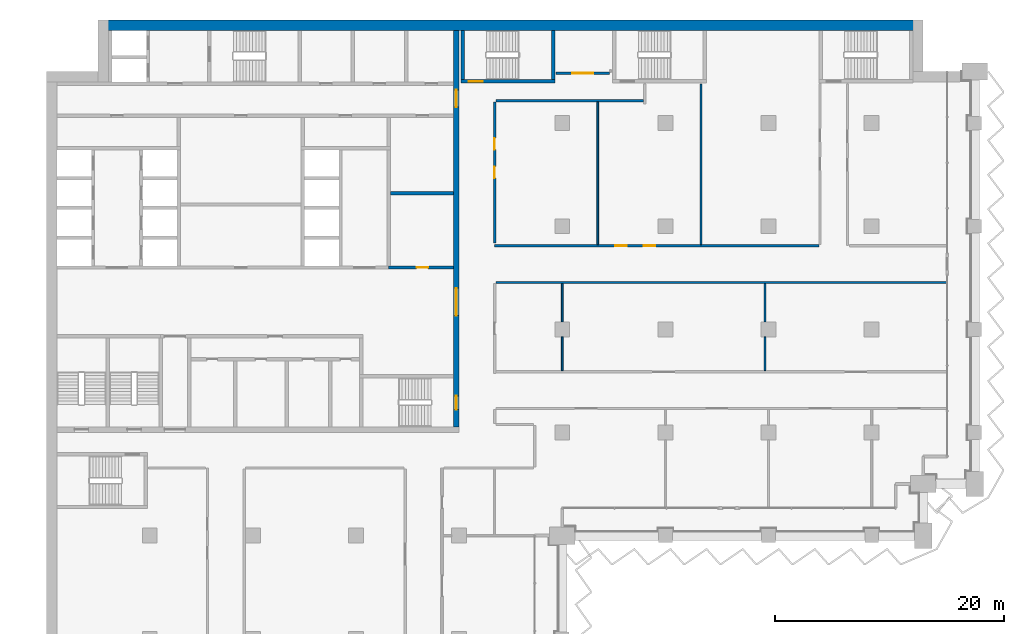
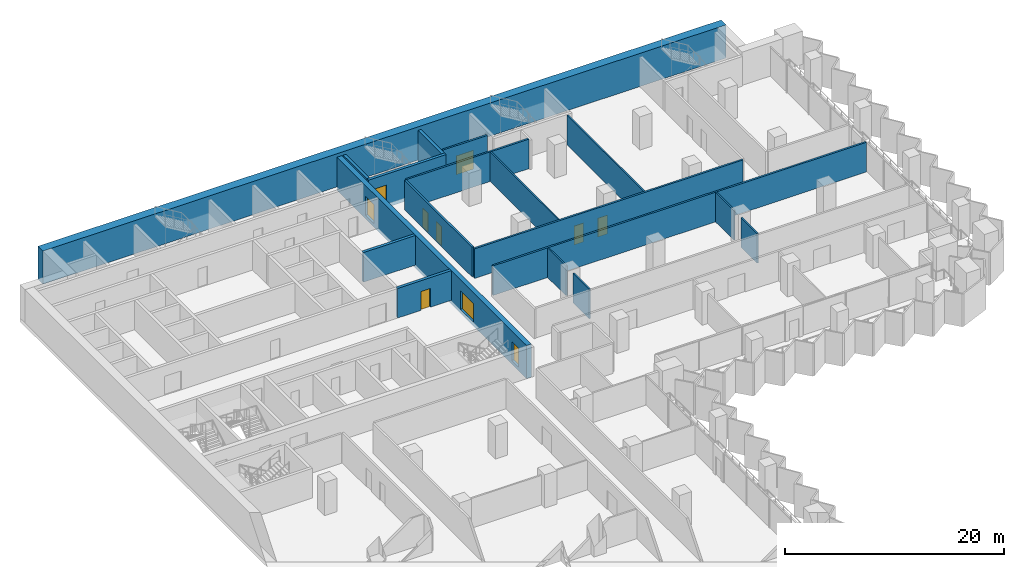
# One storey, part 14 of 23: 18 walls, 10 doors, 10 openings.
"""IFC4 building model written with IfcOpenShell, lengths in metres."""

from ifc_helpers import new_model, si_unit, direction, frame, frame_2d, origin, place, context, subcontext, project, spatial, rectangle, extrude, material, layer, layer_set, type_object, element, fill, save


model = new_model("IFC4")

# Units and contexts
model_context = context("Model", 3, precision=1e-05, world=origin(), true_north=direction((0.0, 1.0)))
body_context = subcontext(model_context, "Body", "Model", "MODEL_VIEW")
ifc_project = project(units=[si_unit("LENGTHUNIT", "METRE"), si_unit("AREAUNIT", "SQUARE_METRE"), si_unit("VOLUMEUNIT", "CUBIC_METRE"), si_unit("PLANEANGLEUNIT", "RADIAN"), si_unit("MASSUNIT", "GRAM", prefix="KILO")], contexts=[model_context])

# Site, building, storey
site_placement = place(None, origin())
site = spatial("IfcSite", under=ifc_project, at=site_placement, CompositionType="ELEMENT")
building_placement = place(site_placement, origin())
building = spatial("IfcBuilding", under=site, at=building_placement, Name="Hunhe Ridgeline Campus", CompositionType="ELEMENT")
storey_placement = place(building_placement, frame((0.0, 0.0, 110.699951171875)))
storey = spatial("IfcBuildingStorey", under=building, at=storey_placement, Name="L27", CompositionType="ELEMENT", Elevation=110.699951171875)

# Wall, opening, door
ifc_material_1 = material(Name="Masonry concrete blockwork", Category="masonry")
ifc_layer_1 = layer(ifc_material_1, 0.300048828125)
ifc_layer_set_1 = layer_set([ifc_layer_1], Name="Core room partition 300 concrete block")
wall_type_1 = type_object("IfcWallType", Name="Core room partition 300 concrete block", PredefinedType="PARTITIONING", material=ifc_layer_set_1)
wall_1_placement = place(storey_placement, frame((29.85009765625, 77.39990234375, 0.0), z_axis=(0.0, 0.0, 1.0), x_axis=(1.0, 0.0, 0.0)))
wall_1 = element("IfcWall", 1, at=wall_1_placement, inside=storey, type_object=wall_type_1, Name="L27 core partition 13", PredefinedType="PARTITIONING", context=body_context, shape_type="SweptSolid", body=[
    extrude(rectangle(XDim=5.64990234375, YDim=0.300048828125, at=frame_2d((2.824951171875, 0.0))), origin(), (0.0, 0.0, 1.0), 3.300048828125),
])
opening_1_placement = place(wall_1_placement, frame((2.449951171875, 0.0, 0.0)))
opening_1 = element("IfcOpeningElement", 2, at=opening_1_placement, cuts=wall_1, Name="Opening CD32", PredefinedType="OPENING", context=body_context, shape_type="SweptSolid", body=[
    extrude(rectangle(XDim=1.0, YDim=2.10009765625, at=frame_2d((0.5, 1.050048828125))), frame((0.0, 0.14990234375, 0.0), z_axis=(0.0, -1.0, 0.0), x_axis=(1.0, 0.0, 0.0)), (0.0, 0.0, 1.0), 0.300048828125),
])
ifc_material_2 = material(Name="Solid core timber door leaf", Category="wood")
door_type_1 = type_object("IfcDoorType", Name="Timber door 1000x2100", OperationType="SINGLE_SWING_LEFT", PredefinedType="DOOR", material=ifc_material_2)
door_1_placement = place(opening_1_placement, origin())
door_1 = element("IfcDoor", 3, at=door_1_placement, inside=storey, type_object=door_type_1, Name="L27 door ES0", OperationType="SINGLE_SWING_RIGHT", OverallHeight=2.10009765625, OverallWidth=1.0, PredefinedType="DOOR", context=body_context, shape_type="SweptSolid", body=[
    extrude(rectangle(XDim=1.0, YDim=2.10009765625, at=frame_2d((0.5, 1.050048828125))), frame((0.0, 0.02490234375, 0.0), z_axis=(0.0, -1.0, 0.0), x_axis=(1.0, 0.0, 0.0)), (0.0, 0.0, 1.0), 0.050048828125),
])
fill(opening_1, door_1)

# Wall
wall_2_placement = place(storey_placement, frame((30.0, 83.89990234375, 0.0), z_axis=(0.0, 0.0, 1.0), x_axis=(1.0, 0.0, 0.0)))
element("IfcWall", 4, at=wall_2_placement, inside=storey, type_object=wall_type_1, Name="L27 core partition 21", PredefinedType="PARTITIONING", context=body_context, shape_type="SweptSolid", body=[
    extrude(rectangle(XDim=5.5, YDim=0.300048828125, at=frame_2d((2.75, 0.0))), origin(), (0.0, 0.0, 1.0), 3.300048828125),
])

# Wall, openings, doors
ifc_material_3 = material(Name="Concrete C80", Category="concrete")
ifc_layer_2 = layer(ifc_material_3, 0.5)
ifc_layer_set_2 = layer_set([ifc_layer_2], Name="Core wall 500 reinforced concrete C80")
wall_type_2 = type_object("IfcWallType", Name="Core wall 500 reinforced concrete C80", PredefinedType="SOLIDWALL", material=ifc_layer_set_2)
wall_3_placement = place(storey_placement, frame((35.75, 63.5, -0.39990234375), z_axis=(0.0, 0.0, 1.0), x_axis=(0.0, 1.0, 0.0)))
wall_3 = element("IfcWall", 5, at=wall_3_placement, inside=storey, type_object=wall_type_2, Name="L27 core wall 60", PredefinedType="SOLIDWALL", context=body_context, shape_type="SweptSolid", body=[
    extrude(rectangle(XDim=34.60009765625, YDim=0.5, at=frame_2d((17.300048828125, 0.0))), origin(), (0.0, 0.0, 1.0), 3.699951171875),
])
opening_2_placement = place(wall_3_placement, frame((9.699951171875, 0.0, 0.39990234375)))
opening_2 = element("IfcOpeningElement", 6, at=opening_2_placement, cuts=wall_3, Name="Opening CD4", PredefinedType="OPENING", context=body_context, shape_type="SweptSolid", body=[
    extrude(rectangle(XDim=2.39990234375, YDim=2.10009765625, at=frame_2d((1.199951171875, 1.050048828125))), frame((0.0, 0.25, 0.0), z_axis=(0.0, -1.0, 0.0), x_axis=(1.0, 0.0, 0.0)), (0.0, 0.0, 1.0), 0.5),
])
opening_3_placement = place(wall_3_placement, frame((27.89990234375, 0.0, 0.39990234375)))
opening_3 = element("IfcOpeningElement", 7, at=opening_3_placement, cuts=wall_3, Name="Opening CD5", PredefinedType="OPENING", context=body_context, shape_type="SweptSolid", body=[
    extrude(rectangle(XDim=1.5, YDim=2.10009765625, at=frame_2d((0.75, 1.050048828125))), frame((0.0, 0.25, 0.0), z_axis=(0.0, -1.0, 0.0), x_axis=(1.0, 0.0, 0.0)), (0.0, 0.0, 1.0), 0.5),
])
opening_4_placement = place(wall_3_placement, frame((1.5, 0.0, 0.39990234375)))
opening_4 = element("IfcOpeningElement", 8, at=opening_4_placement, cuts=wall_3, Name="Opening CD15", PredefinedType="OPENING", context=body_context, shape_type="SweptSolid", body=[
    extrude(rectangle(XDim=1.199951171875, YDim=2.10009765625, at=frame_2d((0.60009765625, 1.050048828125))), frame((0.0, 0.25, 0.0), z_axis=(0.0, -1.0, 0.0), x_axis=(1.0, 0.0, 0.0)), (0.0, 0.0, 1.0), 0.5),
])
ifc_material_4 = material(Name="Anodised aluminium and glass", Category="aluminium")
door_type_2 = type_object("IfcDoorType", Name="Glazed double door 2400x2100", OperationType="DOUBLE_DOOR_SINGLE_SWING", PredefinedType="DOOR", material=ifc_material_4)
door_2_placement = place(opening_2_placement, frame((2.39990234375, 0.0, 0.0), z_axis=(0.0, 0.0, 1.0), x_axis=(-1.0, 0.0, 0.0)))
door_2 = element("IfcDoor", 9, at=door_2_placement, inside=storey, type_object=door_type_2, Name="L27 door HALL-FLOOR", OperationType="DOUBLE_DOOR_SINGLE_SWING", OverallHeight=2.10009765625, OverallWidth=2.39990234375, PredefinedType="DOOR", context=body_context, shape_type="SweptSolid", body=[
    extrude(rectangle(XDim=2.39990234375, YDim=2.10009765625, at=frame_2d((1.199951171875, 1.050048828125))), frame((0.0, 0.02490234375, 0.0), z_axis=(0.0, -1.0, 0.0), x_axis=(1.0, 0.0, 0.0)), (0.0, 0.0, 1.0), 0.050048828125),
])
fill(opening_2, door_2)
ifc_material_5 = material(Name="Hollow metal fire door leaf")
door_type_3 = type_object("IfcDoorType", Name="Stair door 1200x2100 FD60", OperationType="SINGLE_SWING_LEFT", PredefinedType="DOOR", material=ifc_material_5)
door_3_placement = place(opening_4_placement, frame((1.199951171875, 0.0, 0.0), z_axis=(0.0, 0.0, 1.0), x_axis=(-1.0, 0.0, 0.0)))
door_3 = element("IfcDoor", 10, at=door_3_placement, inside=storey, type_object=door_type_3, Name="L27 door S2-FLOOR", OperationType="SINGLE_SWING_RIGHT", OverallHeight=2.10009765625, OverallWidth=1.199951171875, PredefinedType="DOOR", context=body_context, shape_type="SweptSolid", body=[
    extrude(rectangle(XDim=1.199951171875, YDim=2.10009765625, at=frame_2d((0.60009765625, 1.050048828125))), frame((0.0, 0.02490234375, 0.0), z_axis=(0.0, -1.0, 0.0), x_axis=(1.0, 0.0, 0.0)), (0.0, 0.0, 1.0), 0.050048828125),
])
fill(opening_4, door_3)
door_type_4 = type_object("IfcDoorType", Name="Timber door 1500x2100", OperationType="SINGLE_SWING_LEFT", PredefinedType="DOOR", material=ifc_material_2)
door_4_placement = place(opening_3_placement, frame((1.5, 0.0, 0.0), z_axis=(0.0, 0.0, 1.0), x_axis=(-1.0, 0.0, 0.0)))
door_4 = element("IfcDoor", 11, at=door_4_placement, inside=storey, type_object=door_type_4, Name="L27 door C1-FLOOR", OperationType="SINGLE_SWING_RIGHT", OverallHeight=2.10009765625, OverallWidth=1.5, PredefinedType="DOOR", context=body_context, shape_type="SweptSolid", body=[
    extrude(rectangle(XDim=1.5, YDim=2.10009765625, at=frame_2d((0.75, 1.050048828125))), frame((0.0, 0.02490234375, 0.0), z_axis=(0.0, -1.0, 0.0), x_axis=(1.0, 0.0, 0.0)), (0.0, 0.0, 1.0), 0.050048828125),
])
fill(opening_3, door_4)

# Wall
ifc_material_6 = material(Name="Gypsum board partition")
ifc_layer_3 = layer(ifc_material_6, 0.199951171875)
ifc_layer_set_3 = layer_set([ifc_layer_3], Name="Corridor partition 200 gypsum board on steel studs")
wall_type_3 = type_object("IfcWallType", Name="Corridor partition 200 gypsum board on steel studs", PredefinedType="PARTITIONING", material=ifc_layer_set_3)
wall_4_placement = place(storey_placement, frame((78.544921875, 76.10009765625, 0.0), z_axis=(0.0, 0.0, 1.0), x_axis=(-1.0, 0.0, 0.0)))
element("IfcWall", 12, at=wall_4_placement, inside=storey, type_object=wall_type_3, Name="F-L27-wall-034", PredefinedType="PARTITIONING", context=body_context, shape_type="SweptSolid", body=[
    extrude(rectangle(XDim=39.344970703125, YDim=0.199951171875, at=frame_2d((19.67236328125, 0.0))), origin(), (0.0, 0.0, 1.0), 3.300048828125),
])

# Wall, openings, doors
wall_5_placement = place(storey_placement, frame((39.10009765625, 79.300048828125, 0.0), z_axis=(0.0, 0.0, 1.0), x_axis=(1.0, 0.0, 0.0)))
wall_5 = element("IfcWall", 13, at=wall_5_placement, inside=storey, type_object=wall_type_3, Name="F-L27-wall-035", PredefinedType="PARTITIONING", context=body_context, shape_type="SweptSolid", body=[
    extrude(rectangle(XDim=28.2998046875, YDim=0.199951171875, at=frame_2d((14.14990234375, 0.0))), origin(), (0.0, 0.0, 1.0), 3.300048828125),
])
opening_5_placement = place(wall_5_placement, frame((10.52392578125, 0.0, 0.0)))
opening_5 = element("IfcOpeningElement", 14, at=opening_5_placement, cuts=wall_5, Name="Opening RD1-026", PredefinedType="OPENING", context=body_context, shape_type="SweptSolid", body=[
    extrude(rectangle(XDim=1.0, YDim=2.10009765625, at=frame_2d((0.5, 1.050048828125))), frame((0.0, 0.10009765625, 0.0), z_axis=(0.0, -1.0, 0.0), x_axis=(1.0, 0.0, 0.0)), (0.0, 0.0, 1.0), 0.199951171875),
])
opening_6_placement = place(wall_5_placement, frame((13.02392578125, 0.0, 0.0)))
opening_6 = element("IfcOpeningElement", 15, at=opening_6_placement, cuts=wall_5, Name="Opening RD1-027", PredefinedType="OPENING", context=body_context, shape_type="SweptSolid", body=[
    extrude(rectangle(XDim=1.0, YDim=2.10009765625, at=frame_2d((0.5, 1.050048828125))), frame((0.0, 0.10009765625, 0.0), z_axis=(0.0, -1.0, 0.0), x_axis=(1.0, 0.0, 0.0)), (0.0, 0.0, 1.0), 0.199951171875),
])
ifc_material_7 = material(Name="Timber door leaf", Category="wood")
door_type_5 = type_object("IfcDoorType", Name="Single fire door 1000x2100 timber FD60", OperationType="NOTDEFINED", PredefinedType="DOOR", material=ifc_material_7)
door_5_placement = place(opening_5_placement, frame((1.0, 0.0, 0.0), z_axis=(0.0, 0.0, 1.0), x_axis=(-1.0, 0.0, 0.0)))
door_5 = element("IfcDoor", 16, at=door_5_placement, inside=storey, type_object=door_type_5, Name="F-L27-door-026", OperationType="SINGLE_SWING_RIGHT", OverallHeight=2.10009765625, OverallWidth=1.0, PredefinedType="DOOR", context=body_context, shape_type="SweptSolid", body=[
    extrude(rectangle(XDim=1.0, YDim=2.10009765625, at=frame_2d((0.5, 1.050048828125))), frame((0.0, 0.02490234375, 0.0), z_axis=(0.0, -1.0, 0.0), x_axis=(1.0, 0.0, 0.0)), (0.0, 0.0, 1.0), 0.050048828125),
])
fill(opening_5, door_5)
door_6_placement = place(opening_6_placement, frame((1.0, 0.0, 0.0), z_axis=(0.0, 0.0, 1.0), x_axis=(-1.0, 0.0, 0.0)))
door_6 = element("IfcDoor", 17, at=door_6_placement, inside=storey, type_object=door_type_5, Name="F-L27-door-027", OperationType="SINGLE_SWING_LEFT", OverallHeight=2.10009765625, OverallWidth=1.0, PredefinedType="DOOR", context=body_context, shape_type="SweptSolid", body=[
    extrude(rectangle(XDim=1.0, YDim=2.10009765625, at=frame_2d((0.5, 1.050048828125))), frame((0.0, 0.02490234375, 0.0), z_axis=(0.0, -1.0, 0.0), x_axis=(1.0, 0.0, 0.0)), (0.0, 0.0, 1.0), 0.050048828125),
])
fill(opening_6, door_6)

# Wall
wall_6_placement = place(storey_placement, frame((52.10009765625, 91.949951171875, 0.0), z_axis=(0.0, 0.0, 1.0), x_axis=(-1.0, 0.0, 0.0)))
element("IfcWall", 18, at=wall_6_placement, inside=storey, type_object=wall_type_3, Name="F-L27-wall-037", PredefinedType="PARTITIONING", context=body_context, shape_type="SweptSolid", body=[
    extrude(rectangle(XDim=12.900146484375, YDim=0.199951171875, at=frame_2d((6.4501953125, 0.0))), origin(), (0.0, 0.0, 1.0), 3.300048828125),
])

# Wall, opening, door
wall_7_placement = place(storey_placement, frame((44.4541015625, 94.35009765625, 0.0), z_axis=(0.0, 0.0, 1.0), x_axis=(1.0, 0.0, 0.0)))
wall_7 = element("IfcWall", 19, at=wall_7_placement, inside=storey, type_object=wall_type_3, Name="F-L27-wall-038", PredefinedType="PARTITIONING", context=body_context, shape_type="SweptSolid", body=[
    extrude(rectangle(XDim=4.6708984375, YDim=0.199951171875, at=frame_2d((2.33544921875, 0.0))), origin(), (0.0, 0.0, 1.0), 3.300048828125),
])
opening_7_placement = place(wall_7_placement, frame((1.435546875, 0.0, 0.0)))
opening_7 = element("IfcOpeningElement", 20, at=opening_7_placement, cuts=wall_7, Name="Opening RD2-034", PredefinedType="OPENING", context=body_context, shape_type="SweptSolid", body=[
    extrude(rectangle(XDim=1.800048828125, YDim=2.10009765625, at=frame_2d((0.89990234375, 1.050048828125))), frame((0.0, 0.10009765625, 0.0), z_axis=(0.0, -1.0, 0.0), x_axis=(1.0, 0.0, 0.0)), (0.0, 0.0, 1.0), 0.199951171875),
])
door_type_6 = type_object("IfcDoorType", Name="Double fire door 1800x2100 timber FD60", OperationType="DOUBLE_DOOR_SINGLE_SWING", PredefinedType="DOOR", material=ifc_material_7)
door_7_placement = place(opening_7_placement, origin())
door_7 = element("IfcDoor", 21, at=door_7_placement, inside=storey, type_object=door_type_6, Name="F-L27-door-034", OperationType="DOUBLE_DOOR_SINGLE_SWING", OverallHeight=2.10009765625, OverallWidth=1.800048828125, PredefinedType="DOOR", context=body_context, shape_type="SweptSolid", body=[
    extrude(rectangle(XDim=1.800048828125, YDim=2.10009765625, at=frame_2d((0.89990234375, 1.050048828125))), frame((0.0, 0.02490234375, 0.0), z_axis=(0.0, -1.0, 0.0), x_axis=(1.0, 0.0, 0.0)), (0.0, 0.0, 1.0), 0.050048828125),
])
fill(opening_7, door_7)

# Wall, openings, doors
wall_8_placement = place(storey_placement, frame((39.10009765625, 91.85009765625, 0.0), z_axis=(0.0, 0.0, 1.0), x_axis=(0.0, -1.0, 0.0)))
wall_8 = element("IfcWall", 22, at=wall_8_placement, inside=storey, type_object=wall_type_3, Name="F-L27-wall-050", PredefinedType="PARTITIONING", context=body_context, shape_type="SweptSolid", body=[
    extrude(rectangle(XDim=12.312255859375, YDim=0.199951171875, at=frame_2d((6.15625, 0.0))), origin(), (0.0, 0.0, 1.0), 3.300048828125),
])
opening_8_placement = place(wall_8_placement, frame((5.656005859375, 0.0, 0.0)))
opening_8 = element("IfcOpeningElement", 23, at=opening_8_placement, cuts=wall_8, Name="Opening RD1-028", PredefinedType="OPENING", context=body_context, shape_type="SweptSolid", body=[
    extrude(rectangle(XDim=1.0, YDim=2.10009765625, at=frame_2d((0.5, 1.050048828125))), frame((0.0, 0.10009765625, 0.0), z_axis=(0.0, -1.0, 0.0), x_axis=(1.0, 0.0, 0.0)), (0.0, 0.0, 1.0), 0.199951171875),
])
opening_9_placement = place(wall_8_placement, frame((3.156005859375, 0.0, 0.0)))
opening_9 = element("IfcOpeningElement", 24, at=opening_9_placement, cuts=wall_8, Name="Opening RD1-031", PredefinedType="OPENING", context=body_context, shape_type="SweptSolid", body=[
    extrude(rectangle(XDim=1.0, YDim=2.10009765625, at=frame_2d((0.5, 1.050048828125))), frame((0.0, 0.10009765625, 0.0), z_axis=(0.0, -1.0, 0.0), x_axis=(1.0, 0.0, 0.0)), (0.0, 0.0, 1.0), 0.199951171875),
])
door_8_placement = place(opening_8_placement, frame((1.0, 0.0, 0.0), z_axis=(0.0, 0.0, 1.0), x_axis=(-1.0, 0.0, 0.0)))
door_8 = element("IfcDoor", 25, at=door_8_placement, inside=storey, type_object=door_type_5, Name="F-L27-door-028", OperationType="SINGLE_SWING_RIGHT", OverallHeight=2.10009765625, OverallWidth=1.0, PredefinedType="DOOR", context=body_context, shape_type="SweptSolid", body=[
    extrude(rectangle(XDim=1.0, YDim=2.10009765625, at=frame_2d((0.5, 1.050048828125))), frame((0.0, 0.02490234375, 0.0), z_axis=(0.0, -1.0, 0.0), x_axis=(1.0, 0.0, 0.0)), (0.0, 0.0, 1.0), 0.050048828125),
])
fill(opening_8, door_8)
door_9_placement = place(opening_9_placement, frame((1.0, 0.0, 0.0), z_axis=(0.0, 0.0, 1.0), x_axis=(-1.0, 0.0, 0.0)))
door_9 = element("IfcDoor", 26, at=door_9_placement, inside=storey, type_object=door_type_5, Name="F-L27-door-031", OperationType="SINGLE_SWING_RIGHT", OverallHeight=2.10009765625, OverallWidth=1.0, PredefinedType="DOOR", context=body_context, shape_type="SweptSolid", body=[
    extrude(rectangle(XDim=1.0, YDim=2.10009765625, at=frame_2d((0.5, 1.050048828125))), frame((0.0, 0.02490234375, 0.0), z_axis=(0.0, -1.0, 0.0), x_axis=(1.0, 0.0, 0.0)), (0.0, 0.0, 1.0), 0.050048828125),
])
fill(opening_9, door_9)

# Walls
ifc_layer_4 = layer(ifc_material_6, 0.14990234375)
ifc_layer_set_4 = layer_set([ifc_layer_4], Name="Room partition 150 gypsum board on steel studs")
wall_type_4 = type_object("IfcWallType", Name="Room partition 150 gypsum board on steel studs", PredefinedType="PARTITIONING", material=ifc_layer_set_4)
wall_9_placement = place(storey_placement, frame((45.0, 71.35009765625, 0.0), z_axis=(0.0, 0.0, 1.0), x_axis=(0.0, -1.0, 0.0)))
element("IfcWall", 27, at=wall_9_placement, inside=storey, type_object=wall_type_4, Name="F-L27-wall-052", PredefinedType="PARTITIONING", context=body_context, shape_type="SweptSolid", body=[
    extrude(rectangle(XDim=2.9501953125, YDim=0.14990234375, at=frame_2d((1.47509765625, 0.0))), origin(), (0.0, 0.0, 1.0), 3.300048828125),
])
wall_10_placement = place(storey_placement, frame((45.0, 76.0, 0.0), z_axis=(0.0, 0.0, 1.0), x_axis=(0.0, -1.0, 0.0)))
element("IfcWall", 28, at=wall_10_placement, inside=storey, type_object=wall_type_4, Name="F-L27-wall-053", PredefinedType="PARTITIONING", context=body_context, shape_type="SweptSolid", body=[
    extrude(rectangle(XDim=3.35009765625, YDim=0.14990234375, at=frame_2d((1.675048828125, 0.0))), origin(), (0.0, 0.0, 1.0), 3.300048828125),
])
wall_11_placement = place(storey_placement, frame((48.10009765625, 91.85009765625, 0.0), z_axis=(0.0, 0.0, 1.0), x_axis=(0.0, -1.0, 0.0)))
element("IfcWall", 29, at=wall_11_placement, inside=storey, type_object=wall_type_4, Name="F-L27-wall-054", PredefinedType="PARTITIONING", context=body_context, shape_type="SweptSolid", body=[
    extrude(rectangle(XDim=12.4501953125, YDim=0.14990234375, at=frame_2d((6.22509765625, 0.0))), origin(), (0.0, 0.0, 1.0), 3.300048828125),
])
wall_12_placement = place(storey_placement, frame((57.10009765625, 93.39599609375, 0.0), z_axis=(0.0, 0.0, 1.0), x_axis=(0.0, -1.0, 0.0)))
element("IfcWall", 30, at=wall_12_placement, inside=storey, type_object=wall_type_4, Name="F-L27-wall-059", PredefinedType="PARTITIONING", context=body_context, shape_type="SweptSolid", body=[
    extrude(rectangle(XDim=13.99609375, YDim=0.14990234375, at=frame_2d((6.998046875, 0.0))), origin(), (0.0, 0.0, 1.0), 3.300048828125),
])
wall_13_placement = place(storey_placement, frame((62.699951171875, 71.35009765625, 0.0), z_axis=(0.0, 0.0, 1.0), x_axis=(0.0, -1.0, 0.0)))
element("IfcWall", 31, at=wall_13_placement, inside=storey, type_object=wall_type_4, Name="F-L27-wall-060", PredefinedType="PARTITIONING", context=body_context, shape_type="SweptSolid", body=[
    extrude(rectangle(XDim=2.9501953125, YDim=0.14990234375, at=frame_2d((1.47509765625, 0.0))), origin(), (0.0, 0.0, 1.0), 3.300048828125),
])
wall_14_placement = place(storey_placement, frame((62.699951171875, 76.0, 0.0), z_axis=(0.0, 0.0, 1.0), x_axis=(0.0, -1.0, 0.0)))
element("IfcWall", 32, at=wall_14_placement, inside=storey, type_object=wall_type_4, Name="F-L27-wall-061", PredefinedType="PARTITIONING", context=body_context, shape_type="SweptSolid", body=[
    extrude(rectangle(XDim=3.35009765625, YDim=0.14990234375, at=frame_2d((1.675048828125, 0.0))), origin(), (0.0, 0.0, 1.0), 3.300048828125),
])
ifc_material_8 = material(Name="Concrete C70", Category="concrete")
ifc_layer_5 = layer(ifc_material_8, 0.89990234375)
ifc_layer_set_5 = layer_set([ifc_layer_5], Name="Spine wall 900 Concrete C70")
wall_type_5 = type_object("IfcWallType", Name="Spine wall 900 Concrete C70", PredefinedType="SHEAR", material=ifc_layer_set_5)
wall_15_placement = place(storey_placement, frame((76.5, 98.550048828125, 0.0), z_axis=(0.0, 0.0, 1.0), x_axis=(-1.0, 0.0, 0.0)))
element("IfcWall", 33, at=wall_15_placement, inside=storey, type_object=wall_type_5, Name="Spine wall SW2-4 L27", PredefinedType="SHEAR", context=body_context, shape_type="SweptSolid", body=[
    extrude(rectangle(XDim=72.0, YDim=0.89990234375, at=frame_2d((36.0, 0.0))), origin(), (0.0, 0.0, 1.0), 3.699951171875),
])

# Wall, opening, door
ifc_layer_6 = layer(ifc_material_3, 0.300048828125)
ifc_layer_set_6 = layer_set([ifc_layer_6], Name="Stair wall 300 reinforced concrete C80")
wall_type_6 = type_object("IfcWallType", Name="Stair wall 300 reinforced concrete C80", PredefinedType="SOLIDWALL", material=ifc_layer_set_6)
wall_16_placement = place(storey_placement, frame((36.14990234375, 93.64990234375, -0.39990234375), z_axis=(0.0, 0.0, 1.0), x_axis=(1.0, 0.0, 0.0)))
wall_16 = element("IfcWall", 34, at=wall_16_placement, inside=storey, type_object=wall_type_6, Name="L27 core wall 29", PredefinedType="SOLIDWALL", context=body_context, shape_type="SweptSolid", body=[
    extrude(rectangle(XDim=8.2001953125, YDim=0.300048828125, at=frame_2d((4.10009765625, 0.0))), origin(), (0.0, 0.0, 1.0), 3.699951171875),
])
opening_10_placement = place(wall_16_placement, frame((0.699951171875, 0.0, 0.39990234375)))
opening_10 = element("IfcOpeningElement", 35, at=opening_10_placement, cuts=wall_16, Name="Opening CD17", PredefinedType="OPENING", context=body_context, shape_type="SweptSolid", body=[
    extrude(rectangle(XDim=1.199951171875, YDim=2.10009765625, at=frame_2d((0.60009765625, 1.050048828125))), frame((0.0, 0.14990234375, 0.0), z_axis=(0.0, -1.0, 0.0), x_axis=(1.0, 0.0, 0.0)), (0.0, 0.0, 1.0), 0.300048828125),
])
door_10_placement = place(opening_10_placement, frame((1.199951171875, 0.0, 0.0), z_axis=(0.0, 0.0, 1.0), x_axis=(-1.0, 0.0, 0.0)))
door_10 = element("IfcDoor", 36, at=door_10_placement, inside=storey, type_object=door_type_3, Name="L27 door E1", OperationType="SINGLE_SWING_RIGHT", OverallHeight=2.10009765625, OverallWidth=1.199951171875, PredefinedType="DOOR", context=body_context, shape_type="SweptSolid", body=[
    extrude(rectangle(XDim=1.199951171875, YDim=2.10009765625, at=frame_2d((0.60009765625, 1.050048828125))), frame((0.0, 0.02490234375, 0.0), z_axis=(0.0, -1.0, 0.0), x_axis=(1.0, 0.0, 0.0)), (0.0, 0.0, 1.0), 0.050048828125),
])
fill(opening_10, door_10)

# Walls
for number, where, z_axis, x_axis, name in (
    (37, (36.300048828125, 93.800048828125, -0.39990234375), (0.0, 0.0, 1.0), (0.0, 1.0, 0.0), "L27 core wall 61"),
    (38, (44.199951171875, 93.800048828125, -0.39990234375), (0.0, 0.0, 1.0), (0.0, 1.0, 0.0), "L27 core wall 62"),
):
    element("IfcWall", number, at=place(storey_placement, frame(where, z_axis=z_axis, x_axis=x_axis)), inside=storey, type_object=wall_type_6, Name=name, PredefinedType="SOLIDWALL", context=body_context, shape_type="SweptSolid", body=[
        extrude(rectangle(XDim=4.300048828125, YDim=0.300048828125, at=frame_2d((2.14990234375, 0.0))), origin(), (0.0, 0.0, 1.0), 3.699951171875),
    ])

save(model, "model.ifc")
